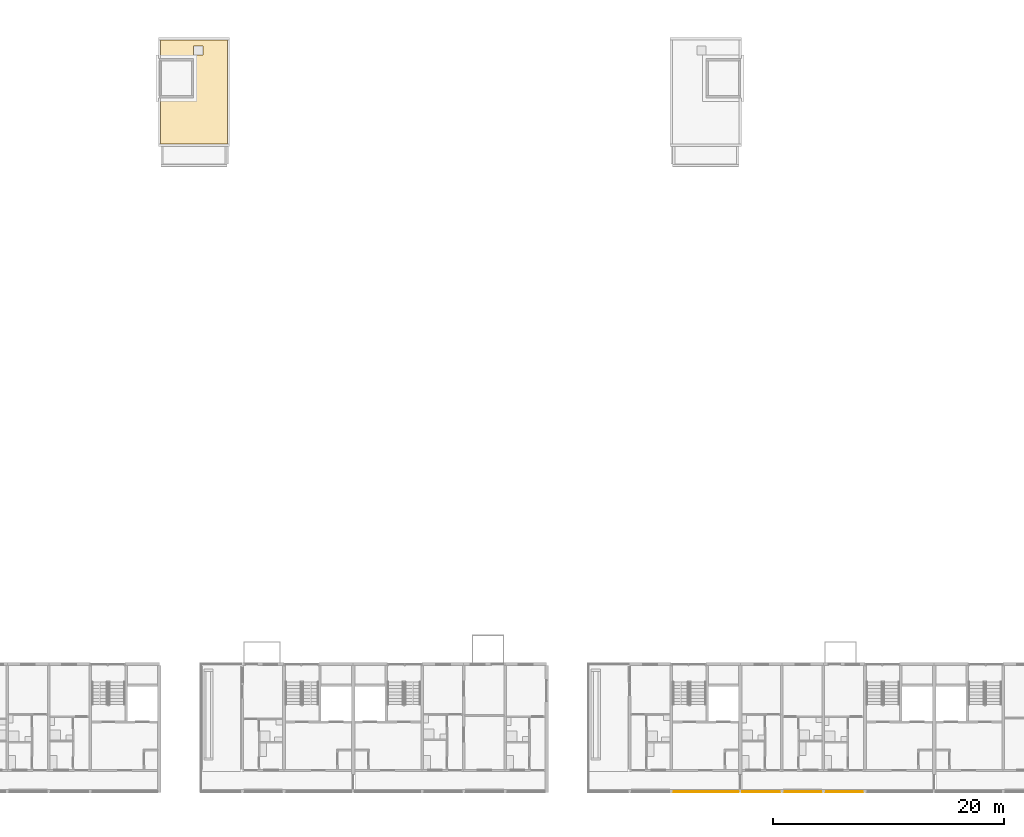
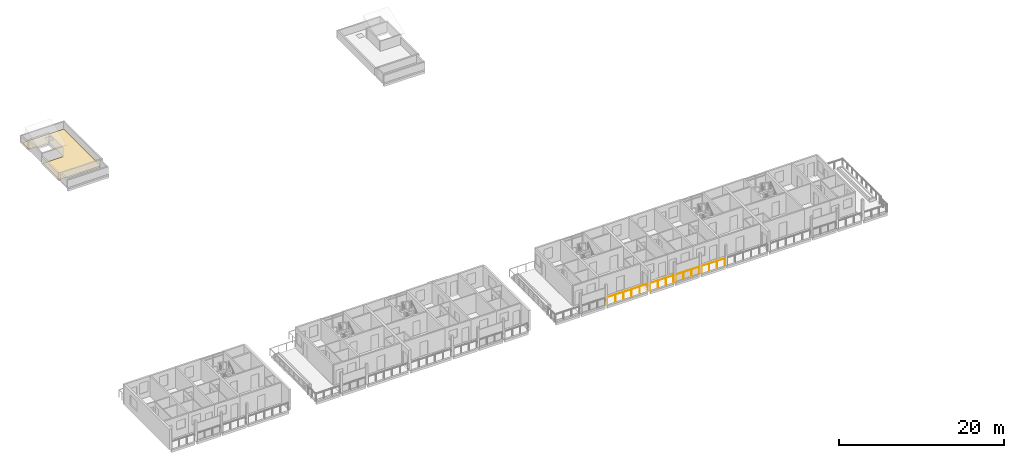
# One storey, part 51 of 64: 4 railings, 1 covering.
"""IFC4 building model written with IfcOpenShell, lengths in metres."""

from ifc_helpers import new_model, si_unit, direction, frame, origin, origin_2d, place, context, subcontext, project, spatial, polyline, circle, outline, extrude, material, layer, layer_set, type_object, element, save


model = new_model("IFC4")

# Units and contexts
model_context = context("Model", 3, precision=1e-05, world=origin(), true_north=direction((0.0, 1.0)))
body_context = subcontext(model_context, "Body", "Model", "MODEL_VIEW")
ifc_project = project(units=[si_unit("LENGTHUNIT", "METRE"), si_unit("AREAUNIT", "SQUARE_METRE"), si_unit("VOLUMEUNIT", "CUBIC_METRE"), si_unit("PLANEANGLEUNIT", "RADIAN"), si_unit("MASSUNIT", "GRAM", prefix="KILO")], contexts=[model_context])

# Site, building, storey
site_placement = place(None, origin())
site = spatial("IfcSite", under=ifc_project, at=site_placement, CompositionType="ELEMENT")
building_placement = place(site_placement, origin())
building = spatial("IfcBuilding", under=site, at=building_placement, Name="Ridgestep Commons", CompositionType="ELEMENT")
storey_placement = place(building_placement, frame((0.0, 0.0, 33.0)))
storey = spatial("IfcBuildingStorey", under=building, at=storey_placement, Name="L11", CompositionType="ELEMENT", Elevation=33.0)

# Railings
ifc_material_1 = material(Name="Structural steel S355JR", Category="steel")
railing_type = type_object("IfcRailingType", Name="Guard 1100", PredefinedType="GUARDRAIL", material=ifc_material_1)
railing_1_placement = place(storey_placement, frame((73.345947265625, 11.800048828125, 0.0)))
element("IfcRailing", 1, at=railing_1_placement, inside=storey, type_object=railing_type, Name="Gallery guard A 11.3", PredefinedType="GUARDRAIL", context=body_context, shape_type="SweptSolid", body=[
    extrude(circle(Radius=0.02392578125, at=origin_2d()), frame((0.0, 0.0, 1.076171875), z_axis=(1.0, 0.0, 0.0), x_axis=(0.0, 1.0, 0.0)), (0.0, 0.0, 1.0), 5.68310546875),
    extrude(circle(Radius=0.02099609375, at=origin_2d()), origin(), (0.0, 0.0, 1.0), 1.052001953125),
    extrude(circle(Radius=0.02099609375, at=origin_2d()), frame((1.13671875, 0.0, 0.0)), (0.0, 0.0, 1.0), 1.052001953125),
    extrude(circle(Radius=0.02099609375, at=origin_2d()), frame((2.273193359375, 0.0, 0.0)), (0.0, 0.0, 1.0), 1.052001953125),
    extrude(circle(Radius=0.02099609375, at=origin_2d()), frame((3.409912109375, 0.0, 0.0)), (0.0, 0.0, 1.0), 1.052001953125),
    extrude(circle(Radius=0.02099609375, at=origin_2d()), frame((4.54638671875, 0.0, 0.0)), (0.0, 0.0, 1.0), 1.052001953125),
    extrude(circle(Radius=0.02099609375, at=origin_2d()), frame((5.68310546875, 0.0, 0.0)), (0.0, 0.0, 1.0), 1.052001953125),
])
railing_2_placement = place(storey_placement, frame((79.37109375, 11.800048828125, 0.0)))
element("IfcRailing", 2, at=railing_2_placement, inside=storey, type_object=railing_type, Name="Gallery guard A 11.4", PredefinedType="GUARDRAIL", context=body_context, shape_type="SweptSolid", body=[
    extrude(circle(Radius=0.02392578125, at=origin_2d()), frame((0.0, 0.0, 1.076171875), z_axis=(1.0, 0.0, 0.0), x_axis=(0.0, 1.0, 0.0)), (0.0, 0.0, 1.0), 3.282958984375),
    extrude(circle(Radius=0.02099609375, at=origin_2d()), origin(), (0.0, 0.0, 1.0), 1.052001953125),
    extrude(circle(Radius=0.02099609375, at=origin_2d()), frame((1.09423828125, 0.0, 0.0)), (0.0, 0.0, 1.0), 1.052001953125),
    extrude(circle(Radius=0.02099609375, at=origin_2d()), frame((2.188720703125, 0.0, 0.0)), (0.0, 0.0, 1.0), 1.052001953125),
    extrude(circle(Radius=0.02099609375, at=origin_2d()), frame((3.282958984375, 0.0, 0.0)), (0.0, 0.0, 1.0), 1.052001953125),
])
railing_3_placement = place(storey_placement, frame((82.946044921875, 11.800048828125, 0.0)))
element("IfcRailing", 3, at=railing_3_placement, inside=storey, type_object=railing_type, Name="Gallery guard A 11.5", PredefinedType="GUARDRAIL", context=body_context, shape_type="SweptSolid", body=[
    extrude(circle(Radius=0.02392578125, at=origin_2d()), frame((0.0, 0.0, 1.076171875), z_axis=(1.0, 0.0, 0.0), x_axis=(0.0, 1.0, 0.0)), (0.0, 0.0, 1.0), 3.307861328125),
    extrude(circle(Radius=0.02099609375, at=origin_2d()), origin(), (0.0, 0.0, 1.0), 1.052001953125),
    extrude(circle(Radius=0.02099609375, at=origin_2d()), frame((1.1025390625, 0.0, 0.0)), (0.0, 0.0, 1.0), 1.052001953125),
    extrude(circle(Radius=0.02099609375, at=origin_2d()), frame((2.205322265625, 0.0, 0.0)), (0.0, 0.0, 1.0), 1.052001953125),
    extrude(circle(Radius=0.02099609375, at=origin_2d()), frame((3.307861328125, 0.0, 0.0)), (0.0, 0.0, 1.0), 1.052001953125),
])
railing_4_placement = place(storey_placement, frame((86.5458984375, 11.800048828125, 0.0)))
element("IfcRailing", 4, at=railing_4_placement, inside=storey, type_object=railing_type, Name="Gallery guard A 11.6", PredefinedType="GUARDRAIL", context=body_context, shape_type="SweptSolid", body=[
    extrude(circle(Radius=0.02392578125, at=origin_2d()), frame((0.0, 0.0, 1.076171875), z_axis=(1.0, 0.0, 0.0), x_axis=(0.0, 1.0, 0.0)), (0.0, 0.0, 1.0), 3.30810546875),
    extrude(circle(Radius=0.02099609375, at=origin_2d()), origin(), (0.0, 0.0, 1.0), 1.052001953125),
    extrude(circle(Radius=0.02099609375, at=origin_2d()), frame((1.102783203125, 0.0, 0.0)), (0.0, 0.0, 1.0), 1.052001953125),
    extrude(circle(Radius=0.02099609375, at=origin_2d()), frame((2.205322265625, 0.0, 0.0)), (0.0, 0.0, 1.0), 1.052001953125),
    extrude(circle(Radius=0.02099609375, at=origin_2d()), frame((3.30810546875, 0.0, 0.0)), (0.0, 0.0, 1.0), 1.052001953125),
])

# Covering
ifc_material_2 = material(Name="Bitumen membrane, two layer")
ifc_layer = layer(ifc_material_2, 0.011962890625)
ifc_layer_set = layer_set([ifc_layer], Name="Roof membrane 12")
covering_type = type_object("IfcCoveringType", Name="Roof membrane 12", PredefinedType="ROOFING", material=ifc_layer_set)
covering_placement = place(storey_placement, origin())
element("IfcCovering", 5, at=covering_placement, inside=storey, type_object=covering_type, Name="Roof membrane B2C", PredefinedType="ROOFING", context=body_context, shape_type="SweptSolid", body=[
    extrude(outline(polyline([(34.699951171875, 77.02490234375), (34.699951171875, 68.0), (28.89990234375, 68.0), (28.89990234375, 72.0), (31.77490234375, 72.0), (31.77490234375, 75.39990234375), (28.89990234375, 75.39990234375), (28.89990234375, 77.02490234375), (34.699951171875, 77.02490234375)]), holes=[polyline([(32.574951171875, 76.5), (31.77490234375, 76.5), (31.77490234375, 75.699951171875), (32.574951171875, 75.699951171875), (32.574951171875, 76.5)])]), origin(), (0.0, 0.0, 1.0), 0.011962890625),
])

save(model, "model.ifc")
